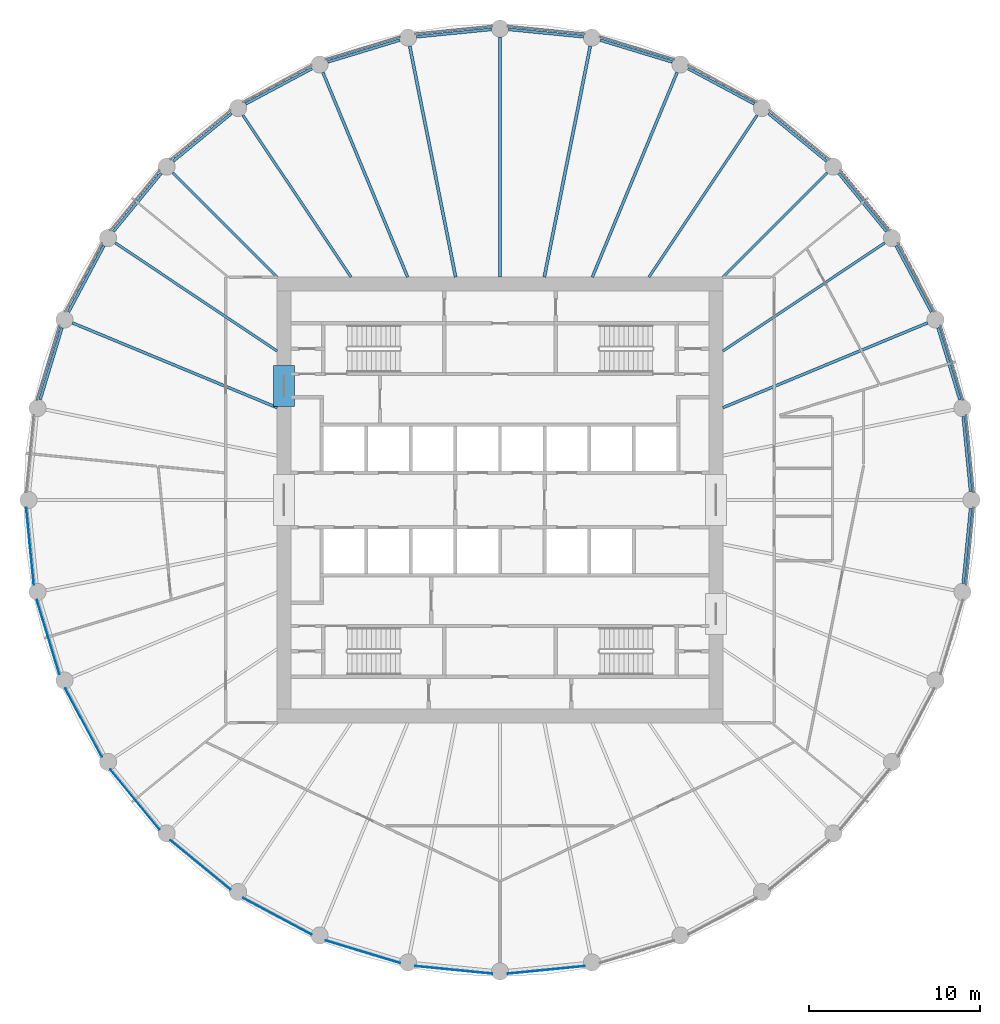
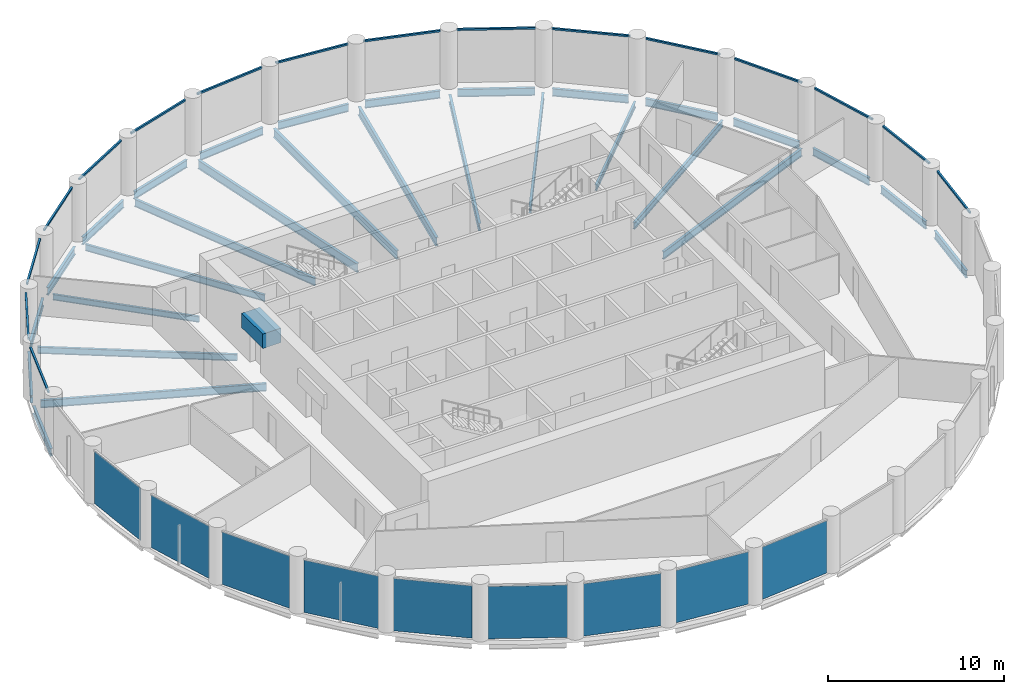
# One storey, part 2 of 8: 30 beams, 16 members, 9 plates, 25 elements without a shape of their own.
"""IFC4 building model written with IfcOpenShell, lengths in metres."""

import ifcopenshell
import ifcopenshell.guid

model = None  # the IFC model being written
_history = None  # IfcOwnerHistory: only IFC2X3 demands one
_inside = {}  # id of a spatial element -> (the spatial element, [elements in it])
_under = {}  # id of a project, library or spatial element -> (it, [spatial elements below it])
_declared = {}  # id of a project -> (the project, [libraries it declares])
_typed = {}  # id of a type object -> (the type object, [elements of that type])
_made_of = {}  # id of a material, layer set ... -> (it, [elements and type objects made of it])


def new_model(schema):
    """Start an empty IFC model of exactly this schema.

    Asked for "IFC4X3", IfcOpenShell would pick the latest addendum, in which some entities
    have other attributes; the version numbers below select the first issue.
    IFC2X3 requires an IfcOwnerHistory on every rooted entity: one is made here for all.
    """
    global model, _history
    if schema == "IFC4X3":
        model = ifcopenshell.file(schema_version=(4, 3, 0, 0))
    else:
        model = ifcopenshell.file(schema=schema)
    _inside.clear()
    _under.clear()
    _declared.clear()
    _typed.clear()
    _made_of.clear()
    _history = None
    if model.schema == "IFC2X3":
        org = make("IfcOrganization", Name="unknown")
        user = make(
            "IfcPersonAndOrganization",
            ThePerson=make("IfcPerson", FamilyName="unknown"),
            TheOrganization=org,
        )
        app = make(
            "IfcApplication",
            ApplicationDeveloper=org,
            Version="unknown",
            ApplicationFullName="unknown",
            ApplicationIdentifier="unknown",
        )
        _history = make(
            "IfcOwnerHistory",
            OwningUser=user,
            OwningApplication=app,
            ChangeAction="ADDED",
            CreationDate=0,
        )
    return model


def make(cls, **values):
    """One entity of the class cls with the attributes given. An attribute that is None is left unset."""
    return model.create_entity(
        cls, **{name: value for name, value in values.items() if value is not None}
    )


def rooted(cls, **values):
    """An entity with a GlobalId (a new one), such as an element, a storey or a relation."""
    return make(cls, GlobalId=ifcopenshell.guid.new(), OwnerHistory=_history, **values)


def si_unit(unit_type, name, prefix=None):
    """IfcSIUnit, for example si_unit("LENGTHUNIT", "METRE", prefix="MILLI")."""
    return make("IfcSIUnit", UnitType=unit_type, Prefix=prefix, Name=name)


def assignment(units):
    """IfcUnitAssignment: the units of a project."""
    return None if units is None else make("IfcUnitAssignment", Units=units)


def point(xyz):
    """IfcCartesianPoint."""
    return None if xyz is None else make("IfcCartesianPoint", Coordinates=xyz)


def direction(xyz):
    """IfcDirection."""
    return None if xyz is None else make("IfcDirection", DirectionRatios=xyz)


def frame(location, z_axis=None, x_axis=None):
    """IfcAxis2Placement3D, a coordinate frame: its origin and axes. An axis left out is left unset."""
    return make(
        "IfcAxis2Placement3D",
        Location=point(location),
        Axis=direction(z_axis),
        RefDirection=direction(x_axis),
    )


def frame_2d(location, x_axis=None):
    """IfcAxis2Placement2D, a coordinate frame in the plane: its origin and x axis."""
    return make(
        "IfcAxis2Placement2D", Location=point(location), RefDirection=direction(x_axis)
    )


def origin():
    """The frame at (0, 0, 0) with its axes left unset."""
    return frame((0.0, 0.0, 0.0))


def origin_2d():
    """The frame at (0, 0) in the plane with its x axis left unset."""
    return frame_2d((0.0, 0.0))


def place(relative_to, where):
    """IfcLocalPlacement: puts the frame where relative to a parent placement (None: the world)."""
    return make(
        "IfcLocalPlacement", PlacementRelTo=relative_to, RelativePlacement=where
    )


def context(
    kind, dimensions, precision=None, world=None, true_north=None, identifier=None
):
    """IfcGeometricRepresentationContext, for example the 3D "Model" context."""
    return make(
        "IfcGeometricRepresentationContext",
        ContextIdentifier=identifier,
        ContextType=kind,
        CoordinateSpaceDimension=dimensions,
        Precision=precision,
        WorldCoordinateSystem=world,
        TrueNorth=true_north,
    )


def subcontext(parent, identifier, kind, view, scale=None):
    """IfcGeometricRepresentationSubContext, for example "Body" below "Model"."""
    return make(
        "IfcGeometricRepresentationSubContext",
        ContextIdentifier=identifier,
        ContextType=kind,
        ParentContext=parent,
        TargetScale=scale,
        TargetView=view,
    )


def project(units=None, contexts=None):
    """IfcProject with its units and contexts."""
    return rooted(
        "IfcProject",
        Name="project",
        RepresentationContexts=contexts,
        UnitsInContext=assignment(units),
    )


def spatial(cls, under=None, at=None, **own):
    """A site, building, storey or space (cls), placed at a placement, below another one or the project."""
    s = rooted(cls, ObjectPlacement=at, **own)
    if under is not None:
        _under.setdefault(under.id(), (under, []))[1].append(s)
    return s


def profile(cls, at=None, kind="AREA", **sizes):
    """A parametric profile (cls). Its sizes go by their IFC names, for example OverallWidth=200.0."""
    return make(cls, ProfileType=kind, Position=at, **sizes)


def rectangle(**sizes):
    """IfcRectangleProfileDef."""
    return profile("IfcRectangleProfileDef", **sizes)


def i_section(**sizes):
    """IfcIShapeProfileDef."""
    return profile("IfcIShapeProfileDef", **sizes)


def extrude(swept, where, along, depth):
    """IfcExtrudedAreaSolid: the profile swept, set in the frame where, extruded along a direction by depth."""
    return make(
        "IfcExtrudedAreaSolid",
        SweptArea=swept,
        Position=where,
        ExtrudedDirection=direction(along),
        Depth=depth,
    )


def shape(context_of_items, identifier, shape_type, items):
    """IfcShapeRepresentation: the items that make up one representation, for example the "Body"."""
    return make(
        "IfcShapeRepresentation",
        ContextOfItems=context_of_items,
        RepresentationIdentifier=identifier,
        RepresentationType=shape_type,
        Items=items,
    )


def material(Name=None, Category=None):
    """IfcMaterial."""
    return make("IfcMaterial", Name=Name, Category=Category)


def layer(
    of_material, thickness, ventilated=None, Name=None, Category=None, Priority=None
):
    """IfcMaterialLayer: one layer of a wall or slab, of a material (None: an air gap)."""
    return make(
        "IfcMaterialLayer",
        Material=of_material,
        LayerThickness=thickness,
        IsVentilated=ventilated,
        Name=Name,
        Category=Category,
        Priority=Priority,
    )


def layer_set(layers, Name=None):
    """IfcMaterialLayerSet."""
    return make("IfcMaterialLayerSet", MaterialLayers=layers, LayerSetName=Name)


def material_profile(
    of_material, cross_section, Name=None, Category=None, Priority=None
):
    """IfcMaterialProfile: a cross section and its material."""
    return make(
        "IfcMaterialProfile",
        Name=Name,
        Material=of_material,
        Profile=cross_section,
        Priority=Priority,
        Category=Category,
    )


def profile_set(profiles, Name=None, composite=None):
    """IfcMaterialProfileSet."""
    return make(
        "IfcMaterialProfileSet",
        Name=Name,
        MaterialProfiles=profiles,
        CompositeProfile=composite,
    )


def made_of(thing, what):
    """Note that an element or type object is made of a material, layer set ...; save() writes the relation."""
    if what is not None:
        _made_of.setdefault(what.id(), (what, []))[1].append(thing)
    return thing


def type_object(cls, material=None, **own):
    """A type object (cls), such as IfcWallType, which elements share."""
    return made_of(rooted(cls, **own), material)


def element(
    cls,
    number,
    at=None,
    inside=None,
    cuts=None,
    type_object=None,
    material=None,
    context=None,
    identifier="Body",
    shape_type=None,
    held_by="IfcProductDefinitionShape",
    body=None,
    shapes=None,
    **own,
):
    """One element of the class cls, such as IfcWall. Its Tag is "e" and its number.

    at: its placement. inside: the storey or other place that contains it. cuts: it is an
    opening in that element (IfcRelVoidsElement). A single representation is given by context,
    identifier, shape_type and body (its items); several are given by shapes. held_by: the class
    of the entity that holds the representations. save() writes the other relations.
    """
    e = rooted(cls, Tag="e%d" % number, ObjectPlacement=at, **own)
    if body is not None:
        shapes = [shape(context, identifier, shape_type, body)]
    if shapes is not None:
        e.Representation = make(held_by, Representations=shapes)
    if inside is not None:
        _inside.setdefault(inside.id(), (inside, []))[1].append(e)
    if cuts is not None:
        rooted(
            "IfcRelVoidsElement", RelatingBuildingElement=cuts, RelatedOpeningElement=e
        )
    if type_object is not None:
        _typed.setdefault(type_object.id(), (type_object, []))[1].append(e)
    return made_of(e, material)


def aggregate(whole, parts):
    """IfcRelAggregates: a whole, such as a stair, and the parts it consists of."""
    return rooted("IfcRelAggregates", RelatingObject=whole, RelatedObjects=parts)


def save(model, path):
    """Write the relations noted so far, then the file.

    IfcRelAggregates (storeys below a building ...), IfcRelContainedInSpatialStructure (elements
    in a storey), IfcRelDefinesByType, IfcRelAssociatesMaterial and IfcRelDeclares: one each for
    every whole, place, type object, material and project.
    """
    for whole, parts in _under.values():
        aggregate(whole, parts)
    for where, things in _inside.values():
        rooted(
            "IfcRelContainedInSpatialStructure",
            RelatedElements=things,
            RelatingStructure=where,
        )
    for kind, things in _typed.values():
        rooted("IfcRelDefinesByType", RelatedObjects=things, RelatingType=kind)
    for what, things in _made_of.values():
        rooted("IfcRelAssociatesMaterial", RelatedObjects=things, RelatingMaterial=what)
    for by, libraries in _declared.values():
        rooted("IfcRelDeclares", RelatingContext=by, RelatedDefinitions=libraries)
    model.write(path)


model = new_model("IFC4")

# Units and contexts
model_context = context("Model", 3, precision=1e-05, world=origin(), true_north=direction((0.0, 1.0)))
body_context = subcontext(model_context, "Body", "Model", "MODEL_VIEW")
ifc_project = project(units=[si_unit("LENGTHUNIT", "METRE"), si_unit("AREAUNIT", "SQUARE_METRE"), si_unit("VOLUMEUNIT", "CUBIC_METRE"), si_unit("PLANEANGLEUNIT", "RADIAN"), si_unit("MASSUNIT", "GRAM", prefix="KILO")], contexts=[model_context])

# Site, building, storey
site_placement = place(None, origin())
site = spatial("IfcSite", under=ifc_project, at=site_placement, CompositionType="ELEMENT")
building_placement = place(site_placement, origin())
building = spatial("IfcBuilding", under=site, at=building_placement, Name="Corvane Civic Tower", CompositionType="ELEMENT")
storey_placement = place(building_placement, frame((0.0, 0.0, 213.5)))
storey = spatial("IfcBuildingStorey", under=building, at=storey_placement, Name="L50", CompositionType="ELEMENT", Elevation=213.5)

# Beams
ifc_material_1 = material(Name="Concrete C50/60", Category="concrete")
ifc_material_profile_1 = material_profile(ifc_material_1, rectangle(XDim=1.199951171875, YDim=1.0, at=origin_2d()), Name="COUPLING BEAM 1200X1000")
ifc_profile_set_1 = profile_set([ifc_material_profile_1], Name="Concrete C50/60")
beam_type_1 = type_object("IfcBeamType", Name="COUPLING BEAM COUPLING BEAM 1200X1000", PredefinedType="BEAM", material=ifc_profile_set_1)
beam_1_placement = place(storey_placement, frame((-12.60009765625, 5.449951171875, 2.60009765625), z_axis=(0.0, 1.0, 0.0), x_axis=(-1.0, 0.0, 0.0)))
element("IfcBeam", 1, at=beam_1_placement, inside=storey, type_object=beam_type_1, Name="BM-L50-cpl-CW-WN", PredefinedType="BEAM", context=body_context, shape_type="SweptSolid", body=[
    extrude(rectangle(XDim=1.199951171875, YDim=1.0, at=origin_2d()), origin(), (0.0, 0.0, 1.0), 2.400146484375),
])
ifc_material_2 = material(Name="Steel ASTM A992 Gr 50", Category="steel")
ifc_material_profile_2 = material_profile(ifc_material_2, i_section(OverallWidth=0.165771484375, OverallDepth=0.5283203125, WebThickness=0.009765625, FlangeThickness=0.013671875, at=origin_2d()), Name="W21X50")
ifc_profile_set_2 = profile_set([ifc_material_profile_2], Name="Steel ASTM A992 Gr 50")
beam_type_2 = type_object("IfcBeamType", Name="EDGE BEAM W21X50", PredefinedType="BEAM", material=ifc_profile_set_2)
beam_2_placement = place(storey_placement, frame((0.49755859375, 27.450927734375, -0.564208984375), z_axis=(0.995189593769, -0.097967711281, 0.0), x_axis=(0.097967711281, 0.995189593769, 0.0)))
element("IfcBeam", 2, at=beam_2_placement, inside=storey, type_object=beam_type_2, Name="BM-L50-E01", PredefinedType="BEAM", context=body_context, shape_type="SweptSolid", body=[
    extrude(i_section(OverallWidth=0.165771484375, OverallDepth=0.5283203125, WebThickness=0.009765625, FlangeThickness=0.013671875, at=origin_2d()), origin(), (0.0, 0.0, 1.0), 4.39111328125),
])
beam_3_placement = place(storey_placement, frame((5.843505859375, 26.826416015625, -0.564208984375), z_axis=(0.956949547653, -0.290254307888, 0.0), x_axis=(0.290254307888, 0.956949547653, 0.0)))
element("IfcBeam", 3, at=beam_3_placement, inside=storey, type_object=beam_type_2, Name="BM-L50-E02", PredefinedType="BEAM", context=body_context, shape_type="SweptSolid", body=[
    extrude(i_section(OverallWidth=0.165771484375, OverallDepth=0.5283203125, WebThickness=0.009765625, FlangeThickness=0.013671875, at=origin_2d()), origin(), (0.0, 0.0, 1.0), 4.390625),
])
for number, where, z_axis, x_axis, name in (
    (4, (10.964599609375, 25.171142578125, -0.564208984375), (0.881907756852, -0.471422006704, 0.0), (0.471422006704, 0.881907756852, 0.0), "BM-L50-E03"),
    (5, (15.66455078125, 22.54833984375, -0.564208984375), (0.773030026524, -0.634369433447, 0.0), (0.634369433447, 0.773030026524, 0.0), "BM-L50-E04"),
    (6, (19.7626953125, 19.05908203125, -0.564208984375), (0.634369433447, -0.773030026524, 0.0), (0.773030026524, 0.634369433447, 0.0), "BM-L50-E05"),
    (7, (23.10107421875, 14.837158203125, -0.564208984375), (0.471422006704, -0.881907756852, 0.0), (0.881907756852, 0.471422006704, 0.0), "BM-L50-E06"),
):
    element("IfcBeam", number, at=place(storey_placement, frame(where, z_axis=z_axis, x_axis=x_axis)), inside=storey, type_object=beam_type_2, Name=name, PredefinedType="BEAM", context=body_context, shape_type="SweptSolid", body=[
        extrude(i_section(OverallWidth=0.165771484375, OverallDepth=0.5283203125, WebThickness=0.009765625, FlangeThickness=0.013671875, at=origin_2d()), origin(), (0.0, 0.0, 1.0), 4.39111328125),
    ])
beam_4_placement = place(storey_placement, frame((25.552001953125, 10.045166015625, -0.564208984375), z_axis=(0.290254307888, -0.956949547653, 0.0), x_axis=(0.956949547653, 0.290254307888, 0.0)))
element("IfcBeam", 8, at=beam_4_placement, inside=storey, type_object=beam_type_2, Name="BM-L50-E07", PredefinedType="BEAM", context=body_context, shape_type="SweptSolid", body=[
    extrude(i_section(OverallWidth=0.165771484375, OverallDepth=0.5283203125, WebThickness=0.009765625, FlangeThickness=0.013671875, at=origin_2d()), origin(), (0.0, 0.0, 1.0), 4.390625),
])
for number, where, z_axis, x_axis, name in (
    (9, (27.020751953125, 4.867431640625, -0.564208984375), (0.097967711281, -0.995189593769, 0.0), (0.995189593769, 0.097967711281, 0.0), "BM-L50-E08"),
    (10, (27.450927734375, -0.49755859375, -0.564208984375), (-0.097967711281, -0.995189593769, 0.0), (0.995189593769, -0.097967711281, 0.0), "BM-L50-E09"),
):
    element("IfcBeam", number, at=place(storey_placement, frame(where, z_axis=z_axis, x_axis=x_axis)), inside=storey, type_object=beam_type_2, Name=name, PredefinedType="BEAM", context=body_context, shape_type="SweptSolid", body=[
        extrude(i_section(OverallWidth=0.165771484375, OverallDepth=0.5283203125, WebThickness=0.009765625, FlangeThickness=0.013671875, at=origin_2d()), origin(), (0.0, 0.0, 1.0), 4.39111328125),
    ])
beam_5_placement = place(storey_placement, frame((-26.826416015625, 5.843505859375, -0.564208984375), z_axis=(0.290254307888, 0.956949547653, 0.0), x_axis=(-0.956949547653, 0.290254307888, 0.0)))
element("IfcBeam", 11, at=beam_5_placement, inside=storey, type_object=beam_type_2, Name="BM-L50-E26", PredefinedType="BEAM", context=body_context, shape_type="SweptSolid", body=[
    extrude(i_section(OverallWidth=0.165771484375, OverallDepth=0.5283203125, WebThickness=0.009765625, FlangeThickness=0.013671875, at=origin_2d()), origin(), (0.0, 0.0, 1.0), 4.390625),
])
for number, where, z_axis, x_axis, name in (
    (12, (-25.171142578125, 10.964599609375, -0.564208984375), (0.471422006704, 0.881907756852, 0.0), (-0.881907756852, 0.471422006704, 0.0), "BM-L50-E27"),
    (13, (-22.54833984375, 15.66455078125, -0.564208984375), (0.634369433447, 0.773030026524, 0.0), (-0.773030026524, 0.634369433447, 0.0), "BM-L50-E28"),
    (14, (-19.05908203125, 19.7626953125, -0.564208984375), (0.773030026524, 0.634369433447, 0.0), (-0.634369433447, 0.773030026524, 0.0), "BM-L50-E29"),
    (15, (-14.837158203125, 23.10107421875, -0.564208984375), (0.881907756852, 0.471422006704, 0.0), (-0.471422006704, 0.881907756852, 0.0), "BM-L50-E30"),
):
    element("IfcBeam", number, at=place(storey_placement, frame(where, z_axis=z_axis, x_axis=x_axis)), inside=storey, type_object=beam_type_2, Name=name, PredefinedType="BEAM", context=body_context, shape_type="SweptSolid", body=[
        extrude(i_section(OverallWidth=0.165771484375, OverallDepth=0.5283203125, WebThickness=0.009765625, FlangeThickness=0.013671875, at=origin_2d()), origin(), (0.0, 0.0, 1.0), 4.39111328125),
    ])
beam_6_placement = place(storey_placement, frame((-10.045166015625, 25.552001953125, -0.564208984375), z_axis=(0.956949547653, 0.290254307888, 0.0), x_axis=(-0.290254307888, 0.956949547653, 0.0)))
element("IfcBeam", 16, at=beam_6_placement, inside=storey, type_object=beam_type_2, Name="BM-L50-E31", PredefinedType="BEAM", context=body_context, shape_type="SweptSolid", body=[
    extrude(i_section(OverallWidth=0.165771484375, OverallDepth=0.5283203125, WebThickness=0.009765625, FlangeThickness=0.013671875, at=origin_2d()), origin(), (0.0, 0.0, 1.0), 4.390625),
])
beam_7_placement = place(storey_placement, frame((-4.867431640625, 27.020751953125, -0.564208984375), z_axis=(0.995189593769, 0.097967711281, 0.0), x_axis=(-0.097967711281, 0.995189593769, 0.0)))
element("IfcBeam", 17, at=beam_7_placement, inside=storey, type_object=beam_type_2, Name="BM-L50-E32", PredefinedType="BEAM", context=body_context, shape_type="SweptSolid", body=[
    extrude(i_section(OverallWidth=0.165771484375, OverallDepth=0.5283203125, WebThickness=0.009765625, FlangeThickness=0.013671875, at=origin_2d()), origin(), (0.0, 0.0, 1.0), 4.39111328125),
])
ifc_material_3 = material(Name="Steel ASTM A992 Gr 50", Category="steel")
ifc_material_profile_3 = material_profile(ifc_material_3, i_section(OverallWidth=0.140380859375, OverallDepth=0.40380859375, WebThickness=0.007080078125, FlangeThickness=0.01123046875, at=origin_2d()), Name="W16X31")
ifc_profile_set_3 = profile_set([ifc_material_profile_3], Name="Steel ASTM A992 Gr 50")
beam_type_3 = type_object("IfcBeamType", Name="FLOOR GIRDER W16X31", PredefinedType="BEAM", material=ifc_profile_set_3)
for number, where, z_axis, x_axis, name in (
    (18, (13.0, 13.0, -0.501953125), (0.707106781187, 0.707106781187, 0.0), (-0.707106781187, 0.707106781187, 0.0), "BM-L50-G05"),
    (19, (-13.0, 13.0, -0.501953125), (-0.707106781187, 0.707106781187, 0.0), (-0.707106781187, -0.707106781187, 0.0), "BM-L50-G29"),
):
    element("IfcBeam", number, at=place(storey_placement, frame(where, z_axis=z_axis, x_axis=x_axis)), inside=storey, type_object=beam_type_3, Name=name, PredefinedType="BEAM", context=body_context, shape_type="SweptSolid", body=[
        extrude(i_section(OverallWidth=0.140380859375, OverallDepth=0.40380859375, WebThickness=0.007080078125, FlangeThickness=0.01123046875, at=origin_2d()), origin(), (0.0, 0.0, 1.0), 8.614990234375),
    ])
ifc_material_4 = material(Name="Steel ASTM A992 Gr 50", Category="steel")
ifc_material_profile_4 = material_profile(ifc_material_4, i_section(OverallWidth=0.15283203125, OverallDepth=0.45458984375, WebThickness=0.008056640625, FlangeThickness=0.013427734375, at=origin_2d()), Name="W18X40")
ifc_profile_set_4 = profile_set([ifc_material_profile_4], Name="Steel ASTM A992 Gr 50")
beam_type_4 = type_object("IfcBeamType", Name="FLOOR GIRDER W18X40", PredefinedType="BEAM", material=ifc_profile_set_4)
for number, where, z_axis, x_axis, name in (
    (20, (8.686279296875, 13.0, -0.52734375), (0.555577326485, 0.831464872557, 0.0), (-0.831464872557, 0.555577326485, 0.0), "BM-L50-G04"),
    (21, (13.0, 8.686279296875, -0.52734375), (0.831464872557, 0.555577326485, 0.0), (-0.555577326485, 0.831464872557, 0.0), "BM-L50-G06"),
    (22, (-13.0, 8.686279296875, -0.52734375), (-0.831464872557, 0.555577326485, 0.0), (-0.555577326485, -0.831464872557, 0.0), "BM-L50-G28"),
    (23, (-8.686279296875, 13.0, -0.52734375), (-0.555577326485, 0.831464872557, 0.0), (-0.831464872557, -0.555577326485, 0.0), "BM-L50-G30"),
):
    element("IfcBeam", number, at=place(storey_placement, frame(where, z_axis=z_axis, x_axis=x_axis)), inside=storey, type_object=beam_type_4, Name=name, PredefinedType="BEAM", context=body_context, shape_type="SweptSolid", body=[
        extrude(i_section(OverallWidth=0.15283203125, OverallDepth=0.45458984375, WebThickness=0.008056640625, FlangeThickness=0.013427734375, at=origin_2d()), origin(), (0.0, 0.0, 1.0), 11.365234375),
    ])
ifc_material_5 = material(Name="Steel ASTM A992 Gr 50", Category="steel")
ifc_material_profile_5 = material_profile(ifc_material_5, i_section(OverallWidth=0.165771484375, OverallDepth=0.5283203125, WebThickness=0.009765625, FlangeThickness=0.013671875, at=origin_2d()), Name="W21X50")
ifc_profile_set_5 = profile_set([ifc_material_profile_5], Name="Steel ASTM A992 Gr 50")
beam_type_5 = type_object("IfcBeamType", Name="FLOOR GIRDER W21X50", PredefinedType="BEAM", material=ifc_profile_set_5)
for number, where, z_axis, x_axis, name in (
    (24, (5.384765625, 13.0, -0.564208984375), (0.382686450378, 0.923878282404, 0.0), (-0.923878282404, 0.382686450378, 0.0), "BM-L50-G03"),
    (25, (13.0, 5.384765625, -0.564208984375), (0.923878282404, 0.382686450378, 0.0), (-0.382686450378, 0.923878282404, 0.0), "BM-L50-G07"),
    (26, (-13.0, 5.384765625, -0.564208984375), (-0.923878282404, 0.382686450378, 0.0), (-0.382686450378, -0.923878282404, 0.0), "BM-L50-G27"),
    (27, (-5.384765625, 13.0, -0.564208984375), (-0.382686450378, 0.923878282404, 0.0), (-0.923878282404, -0.382686450378, 0.0), "BM-L50-G31"),
):
    element("IfcBeam", number, at=place(storey_placement, frame(where, z_axis=z_axis, x_axis=x_axis)), inside=storey, type_object=beam_type_5, Name=name, PredefinedType="BEAM", context=body_context, shape_type="SweptSolid", body=[
        extrude(i_section(OverallWidth=0.165771484375, OverallDepth=0.5283203125, WebThickness=0.009765625, FlangeThickness=0.013671875, at=origin_2d()), origin(), (0.0, 0.0, 1.0), 12.928955078125),
    ])
ifc_material_6 = material(Name="Steel ASTM A992 Gr 50", Category="steel")
ifc_material_profile_6 = material_profile(ifc_material_6, i_section(OverallWidth=0.177978515625, OverallDepth=0.599365234375, WebThickness=0.010009765625, FlangeThickness=0.012939453125, at=origin_2d()), Name="W24X55")
ifc_profile_set_6 = profile_set([ifc_material_profile_6], Name="Steel ASTM A992 Gr 50")
beam_type_6 = type_object("IfcBeamType", Name="FLOOR GIRDER W24X55", PredefinedType="BEAM", material=ifc_profile_set_6)
beam_8_placement = place(storey_placement, frame((0.0, 13.0, -0.599609375), z_axis=(0.0, 1.0, 0.0), x_axis=(-1.0, 0.0, 0.0)))
element("IfcBeam", 28, at=beam_8_placement, inside=storey, type_object=beam_type_6, Name="BM-L50-G01", PredefinedType="BEAM", context=body_context, shape_type="SweptSolid", body=[
    extrude(i_section(OverallWidth=0.177978515625, OverallDepth=0.599365234375, WebThickness=0.010009765625, FlangeThickness=0.012939453125, at=origin_2d()), origin(), (0.0, 0.0, 1.0), 14.0),
])
for number, where, z_axis, x_axis, name in (
    (29, (2.5859375, 13.0, -0.599609375), (0.195077644118, 0.980787802109, 0.0), (-0.980787802109, 0.195077644118, 0.0), "BM-L50-G02"),
    (30, (-2.5859375, 13.0, -0.599609375), (-0.195077644118, 0.980787802109, 0.0), (-0.980787802109, -0.195077644118, 0.0), "BM-L50-G32"),
):
    element("IfcBeam", number, at=place(storey_placement, frame(where, z_axis=z_axis, x_axis=x_axis)), inside=storey, type_object=beam_type_6, Name=name, PredefinedType="BEAM", context=body_context, shape_type="SweptSolid", body=[
        extrude(i_section(OverallWidth=0.177978515625, OverallDepth=0.599365234375, WebThickness=0.010009765625, FlangeThickness=0.012939453125, at=origin_2d()), origin(), (0.0, 0.0, 1.0), 13.745361328125),
    ])

# Curtain wall, member
ifc_material_7 = material(Name="Anodised aluminium bronze", Category="aluminium")
curtain_wall_type = type_object("IfcCurtainWallType", Name="TOWER CW-T2 STICK CURTAIN WALL", PredefinedType="NOTDEFINED", material=ifc_material_7)
curtain_wall_1_placement = place(storey_placement, origin())
curtain_wall_1 = element("IfcCurtainWall", 31, at=curtain_wall_1_placement, inside=storey, type_object=curtain_wall_type, Name="Curtain wall CW-T2 L50 bay 01", PredefinedType="NOTDEFINED")
ifc_material_8 = material(Name="Anodised aluminium bronze", Category="aluminium")
ifc_material_profile_7 = material_profile(ifc_material_8, rectangle(XDim=0.1201171875, YDim=0.1201171875, at=origin_2d()), Name="TOWER CW-T2 TRANSOM 120x120")
ifc_profile_set_7 = profile_set([ifc_material_profile_7], Name="Anodised aluminium bronze")
member_type = type_object("IfcMemberType", Name="TOWER CW-T2 TRANSOM 120x120", PredefinedType="USERDEFINED", material=ifc_profile_set_7)
member_1_placement = place(storey_placement, frame((0.452392578125, 27.635498046875, 3.68994140625), z_axis=(0.995182207386, -0.098042715701, 0.0), x_axis=(0.098042715701, 0.995182207386, 0.0)))
member_1 = element("IfcMember", 32, at=member_1_placement, type_object=member_type, Name="Transom CW-T2 L50 01.1", ObjectType="TRANSOM", PredefinedType="USERDEFINED", context=body_context, shape_type="SweptSolid", body=[
    extrude(rectangle(XDim=0.1201171875, YDim=0.1201171875, at=origin_2d()), origin(), (0.0, 0.0, 1.0), 4.51708984375),
])
aggregate(curtain_wall_1, [member_1])

curtain_wall_2_placement = place(storey_placement, origin())
curtain_wall_2 = element("IfcCurtainWall", 33, at=curtain_wall_2_placement, inside=storey, type_object=curtain_wall_type, Name="Curtain wall CW-T2 L50 bay 02", PredefinedType="NOTDEFINED")
member_2_placement = place(storey_placement, frame((5.8349609375, 27.016357421875, 3.68994140625), z_axis=(0.956941182173, -0.2902818869, 0.0), x_axis=(0.2902818869, 0.956941182173, 0.0)))
member_2 = element("IfcMember", 34, at=member_2_placement, type_object=member_type, Name="Transom CW-T2 L50 02.1", ObjectType="TRANSOM", PredefinedType="USERDEFINED", context=body_context, shape_type="SweptSolid", body=[
    extrude(rectangle(XDim=0.1201171875, YDim=0.1201171875, at=origin_2d()), origin(), (0.0, 0.0, 1.0), 4.517333984375),
])
aggregate(curtain_wall_2, [member_2])

curtain_wall_3_placement = place(storey_placement, origin())
curtain_wall_3 = element("IfcCurtainWall", 35, at=curtain_wall_3_placement, inside=storey, type_object=curtain_wall_type, Name="Curtain wall CW-T2 L50 bay 03", PredefinedType="NOTDEFINED")
member_3_placement = place(storey_placement, frame((10.993408203125, 25.35888671875, 3.68994140625), z_axis=(0.881924695689, -0.471390317183, 0.0), x_axis=(0.471390317183, 0.881924695689, 0.0)))
member_3 = element("IfcMember", 36, at=member_3_placement, type_object=member_type, Name="Transom CW-T2 L50 03.1", ObjectType="TRANSOM", PredefinedType="USERDEFINED", context=body_context, shape_type="SweptSolid", body=[
    extrude(rectangle(XDim=0.1201171875, YDim=0.1201171875, at=origin_2d()), origin(), (0.0, 0.0, 1.0), 4.517333984375),
])
aggregate(curtain_wall_3, [member_3])

curtain_wall_4_placement = place(storey_placement, origin())
curtain_wall_4 = element("IfcCurtainWall", 37, at=curtain_wall_4_placement, inside=storey, type_object=curtain_wall_type, Name="Curtain wall CW-T2 L50 bay 04", PredefinedType="NOTDEFINED")
member_4_placement = place(storey_placement, frame((15.7294921875, 22.726806640625, 3.68994140625), z_axis=(0.773014925698, -0.634387834569, 0.0), x_axis=(0.634387834569, 0.773014925698, 0.0)))
member_4 = element("IfcMember", 38, at=member_4_placement, type_object=member_type, Name="Transom CW-T2 L50 04.1", ObjectType="TRANSOM", PredefinedType="USERDEFINED", context=body_context, shape_type="SweptSolid", body=[
    extrude(rectangle(XDim=0.1201171875, YDim=0.1201171875, at=origin_2d()), origin(), (0.0, 0.0, 1.0), 4.517333984375),
])
aggregate(curtain_wall_4, [member_4])

curtain_wall_5_placement = place(storey_placement, origin())
curtain_wall_5 = element("IfcCurtainWall", 39, at=curtain_wall_5_placement, inside=storey, type_object=curtain_wall_type, Name="Curtain wall CW-T2 L50 bay 05", PredefinedType="NOTDEFINED")
member_5_placement = place(storey_placement, frame((19.861083984375, 19.221435546875, 3.68994140625), z_axis=(0.634387834569, -0.773014925698, 0.0), x_axis=(0.773014925698, 0.634387834569, 0.0)))
member_5 = element("IfcMember", 40, at=member_5_placement, type_object=member_type, Name="Transom CW-T2 L50 05.1", ObjectType="TRANSOM", PredefinedType="USERDEFINED", context=body_context, shape_type="SweptSolid", body=[
    extrude(rectangle(XDim=0.1201171875, YDim=0.1201171875, at=origin_2d()), origin(), (0.0, 0.0, 1.0), 4.517333984375),
])
aggregate(curtain_wall_5, [member_5])

curtain_wall_6_placement = place(storey_placement, origin())
curtain_wall_6 = element("IfcCurtainWall", 41, at=curtain_wall_6_placement, inside=storey, type_object=curtain_wall_type, Name="Curtain wall CW-T2 L50 bay 06", PredefinedType="NOTDEFINED")
member_6_placement = place(storey_placement, frame((23.2294921875, 14.977294921875, 3.68994140625), z_axis=(0.471390317183, -0.881924695689, 0.0), x_axis=(0.881924695689, 0.471390317183, 0.0)))
member_6 = element("IfcMember", 42, at=member_6_placement, type_object=member_type, Name="Transom CW-T2 L50 06.1", ObjectType="TRANSOM", PredefinedType="USERDEFINED", context=body_context, shape_type="SweptSolid", body=[
    extrude(rectangle(XDim=0.1201171875, YDim=0.1201171875, at=origin_2d()), origin(), (0.0, 0.0, 1.0), 4.517333984375),
])
aggregate(curtain_wall_6, [member_6])

curtain_wall_7_placement = place(storey_placement, origin())
curtain_wall_7 = element("IfcCurtainWall", 43, at=curtain_wall_7_placement, inside=storey, type_object=curtain_wall_type, Name="Curtain wall CW-T2 L50 bay 07", PredefinedType="NOTDEFINED")
member_7_placement = place(storey_placement, frame((25.705078125, 10.15771484375, 3.68994140625), z_axis=(0.2902818869, -0.956941182173, 0.0), x_axis=(0.956941182173, 0.2902818869, 0.0)))
member_7 = element("IfcMember", 44, at=member_7_placement, type_object=member_type, Name="Transom CW-T2 L50 07.1", ObjectType="TRANSOM", PredefinedType="USERDEFINED", context=body_context, shape_type="SweptSolid", body=[
    extrude(rectangle(XDim=0.1201171875, YDim=0.1201171875, at=origin_2d()), origin(), (0.0, 0.0, 1.0), 4.517333984375),
])
aggregate(curtain_wall_7, [member_7])

curtain_wall_8_placement = place(storey_placement, origin())
curtain_wall_8 = element("IfcCurtainWall", 45, at=curtain_wall_8_placement, inside=storey, type_object=curtain_wall_type, Name="Curtain wall CW-T2 L50 bay 08", PredefinedType="NOTDEFINED")
member_8_placement = place(storey_placement, frame((27.192626953125, 4.94775390625, 3.68994140625), z_axis=(0.098042715701, -0.995182207386, 0.0), x_axis=(0.995182207386, 0.098042715701, 0.0)))
member_8 = element("IfcMember", 46, at=member_8_placement, type_object=member_type, Name="Transom CW-T2 L50 08.1", ObjectType="TRANSOM", PredefinedType="USERDEFINED", context=body_context, shape_type="SweptSolid", body=[
    extrude(rectangle(XDim=0.1201171875, YDim=0.1201171875, at=origin_2d()), origin(), (0.0, 0.0, 1.0), 4.51708984375),
])
aggregate(curtain_wall_8, [member_8])

curtain_wall_9_placement = place(storey_placement, origin())
curtain_wall_9 = element("IfcCurtainWall", 47, at=curtain_wall_9_placement, inside=storey, type_object=curtain_wall_type, Name="Curtain wall CW-T2 L50 bay 09", PredefinedType="NOTDEFINED")
member_9_placement = place(storey_placement, frame((27.635498046875, -0.452392578125, 3.68994140625), z_axis=(-0.098042715701, -0.995182207386, 0.0), x_axis=(0.995182207386, -0.098042715701, 0.0)))
member_9 = element("IfcMember", 48, at=member_9_placement, type_object=member_type, Name="Transom CW-T2 L50 09.1", ObjectType="TRANSOM", PredefinedType="USERDEFINED", context=body_context, shape_type="SweptSolid", body=[
    extrude(rectangle(XDim=0.1201171875, YDim=0.1201171875, at=origin_2d()), origin(), (0.0, 0.0, 1.0), 4.51708984375),
])
aggregate(curtain_wall_9, [member_9])

curtain_wall_10_placement = place(storey_placement, origin())
curtain_wall_10 = element("IfcCurtainWall", 49, at=curtain_wall_10_placement, inside=storey, type_object=curtain_wall_type, Name="Curtain wall CW-T2 L50 bay 26", PredefinedType="NOTDEFINED")
member_10_placement = place(storey_placement, frame((-27.016357421875, 5.8349609375, 3.68994140625), z_axis=(0.2902818869, 0.956941182173, 0.0), x_axis=(-0.956941182173, 0.2902818869, 0.0)))
member_10 = element("IfcMember", 50, at=member_10_placement, type_object=member_type, Name="Transom CW-T2 L50 26.1", ObjectType="TRANSOM", PredefinedType="USERDEFINED", context=body_context, shape_type="SweptSolid", body=[
    extrude(rectangle(XDim=0.1201171875, YDim=0.1201171875, at=origin_2d()), origin(), (0.0, 0.0, 1.0), 4.517333984375),
])
aggregate(curtain_wall_10, [member_10])

curtain_wall_11_placement = place(storey_placement, origin())
curtain_wall_11 = element("IfcCurtainWall", 51, at=curtain_wall_11_placement, inside=storey, type_object=curtain_wall_type, Name="Curtain wall CW-T2 L50 bay 27", PredefinedType="NOTDEFINED")
member_11_placement = place(storey_placement, frame((-25.35888671875, 10.993408203125, 3.68994140625), z_axis=(0.471390317183, 0.881924695689, 0.0), x_axis=(-0.881924695689, 0.471390317183, 0.0)))
member_11 = element("IfcMember", 52, at=member_11_placement, type_object=member_type, Name="Transom CW-T2 L50 27.1", ObjectType="TRANSOM", PredefinedType="USERDEFINED", context=body_context, shape_type="SweptSolid", body=[
    extrude(rectangle(XDim=0.1201171875, YDim=0.1201171875, at=origin_2d()), origin(), (0.0, 0.0, 1.0), 4.517333984375),
])
aggregate(curtain_wall_11, [member_11])

curtain_wall_12_placement = place(storey_placement, origin())
curtain_wall_12 = element("IfcCurtainWall", 53, at=curtain_wall_12_placement, inside=storey, type_object=curtain_wall_type, Name="Curtain wall CW-T2 L50 bay 28", PredefinedType="NOTDEFINED")
member_12_placement = place(storey_placement, frame((-22.726806640625, 15.7294921875, 3.68994140625), z_axis=(0.634387834569, 0.773014925698, 0.0), x_axis=(-0.773014925698, 0.634387834569, 0.0)))
member_12 = element("IfcMember", 54, at=member_12_placement, type_object=member_type, Name="Transom CW-T2 L50 28.1", ObjectType="TRANSOM", PredefinedType="USERDEFINED", context=body_context, shape_type="SweptSolid", body=[
    extrude(rectangle(XDim=0.1201171875, YDim=0.1201171875, at=origin_2d()), origin(), (0.0, 0.0, 1.0), 4.517333984375),
])
aggregate(curtain_wall_12, [member_12])

curtain_wall_13_placement = place(storey_placement, origin())
curtain_wall_13 = element("IfcCurtainWall", 55, at=curtain_wall_13_placement, inside=storey, type_object=curtain_wall_type, Name="Curtain wall CW-T2 L50 bay 29", PredefinedType="NOTDEFINED")
member_13_placement = place(storey_placement, frame((-19.221435546875, 19.861083984375, 3.68994140625), z_axis=(0.773014925698, 0.634387834569, 0.0), x_axis=(-0.634387834569, 0.773014925698, 0.0)))
member_13 = element("IfcMember", 56, at=member_13_placement, type_object=member_type, Name="Transom CW-T2 L50 29.1", ObjectType="TRANSOM", PredefinedType="USERDEFINED", context=body_context, shape_type="SweptSolid", body=[
    extrude(rectangle(XDim=0.1201171875, YDim=0.1201171875, at=origin_2d()), origin(), (0.0, 0.0, 1.0), 4.517333984375),
])
aggregate(curtain_wall_13, [member_13])

curtain_wall_14_placement = place(storey_placement, origin())
curtain_wall_14 = element("IfcCurtainWall", 57, at=curtain_wall_14_placement, inside=storey, type_object=curtain_wall_type, Name="Curtain wall CW-T2 L50 bay 30", PredefinedType="NOTDEFINED")
member_14_placement = place(storey_placement, frame((-14.977294921875, 23.2294921875, 3.68994140625), z_axis=(0.881924695689, 0.471390317183, 0.0), x_axis=(-0.471390317183, 0.881924695689, 0.0)))
member_14 = element("IfcMember", 58, at=member_14_placement, type_object=member_type, Name="Transom CW-T2 L50 30.1", ObjectType="TRANSOM", PredefinedType="USERDEFINED", context=body_context, shape_type="SweptSolid", body=[
    extrude(rectangle(XDim=0.1201171875, YDim=0.1201171875, at=origin_2d()), origin(), (0.0, 0.0, 1.0), 4.517333984375),
])
aggregate(curtain_wall_14, [member_14])

curtain_wall_15_placement = place(storey_placement, origin())
curtain_wall_15 = element("IfcCurtainWall", 59, at=curtain_wall_15_placement, inside=storey, type_object=curtain_wall_type, Name="Curtain wall CW-T2 L50 bay 31", PredefinedType="NOTDEFINED")
member_15_placement = place(storey_placement, frame((-10.15771484375, 25.705078125, 3.68994140625), z_axis=(0.956941182173, 0.2902818869, 0.0), x_axis=(-0.2902818869, 0.956941182173, 0.0)))
member_15 = element("IfcMember", 60, at=member_15_placement, type_object=member_type, Name="Transom CW-T2 L50 31.1", ObjectType="TRANSOM", PredefinedType="USERDEFINED", context=body_context, shape_type="SweptSolid", body=[
    extrude(rectangle(XDim=0.1201171875, YDim=0.1201171875, at=origin_2d()), origin(), (0.0, 0.0, 1.0), 4.517333984375),
])
aggregate(curtain_wall_15, [member_15])

curtain_wall_16_placement = place(storey_placement, origin())
curtain_wall_16 = element("IfcCurtainWall", 61, at=curtain_wall_16_placement, inside=storey, type_object=curtain_wall_type, Name="Curtain wall CW-T2 L50 bay 32", PredefinedType="NOTDEFINED")
member_16_placement = place(storey_placement, frame((-4.94775390625, 27.192626953125, 3.68994140625), z_axis=(0.995182207386, 0.098042715701, 0.0), x_axis=(-0.098042715701, 0.995182207386, 0.0)))
member_16 = element("IfcMember", 62, at=member_16_placement, type_object=member_type, Name="Transom CW-T2 L50 32.1", ObjectType="TRANSOM", PredefinedType="USERDEFINED", context=body_context, shape_type="SweptSolid", body=[
    extrude(rectangle(XDim=0.1201171875, YDim=0.1201171875, at=origin_2d()), origin(), (0.0, 0.0, 1.0), 4.51708984375),
])
aggregate(curtain_wall_16, [member_16])

# Curtain wall, plate
curtain_wall_17_placement = place(storey_placement, origin())
curtain_wall_17 = element("IfcCurtainWall", 63, at=curtain_wall_17_placement, inside=storey, type_object=curtain_wall_type, Name="Curtain wall CW-T2 L50 bay 16", PredefinedType="NOTDEFINED")
ifc_material_9 = material(Name="Tinted glass", Category="glass")
ifc_layer = layer(ifc_material_9, 0.031982421875)
ifc_layer_set = layer_set([ifc_layer], Name="Tinted glass")
plate_type = type_object("IfcPlateType", Name="TOWER CW-T2 PANEL IGU32", PredefinedType="CURTAIN_PANEL", material=ifc_layer_set)
plate_1_placement = place(storey_placement, frame((2.699951171875, -27.4140625, 0.0), z_axis=(0.0, 0.0, 1.0), x_axis=(-0.995187058378, -0.097993463235, 0.0)))
plate_1 = element("IfcPlate", 64, at=plate_1_placement, type_object=plate_type, Name="Glass panel CW-T2 L50 16.1", PredefinedType="CURTAIN_PANEL", context=body_context, shape_type="SweptSolid", body=[
    extrude(rectangle(XDim=4.517333984375, YDim=0.031982421875, at=origin_2d()), origin(), (0.0, 0.0, 1.0), 3.6298828125),
])
aggregate(curtain_wall_17, [plate_1])

curtain_wall_18_placement = place(storey_placement, origin())
curtain_wall_18 = element("IfcCurtainWall", 65, at=curtain_wall_18_placement, inside=storey, type_object=curtain_wall_type, Name="Curtain wall CW-T2 L50 bay 17", PredefinedType="NOTDEFINED")
plate_2_placement = place(storey_placement, frame((-2.699951171875, -27.4140625, 0.0), z_axis=(0.0, 0.0, 1.0), x_axis=(-0.995187058378, 0.097993463235, 0.0)))
plate_2 = element("IfcPlate", 66, at=plate_2_placement, type_object=plate_type, Name="Glass panel CW-T2 L50 17.1", PredefinedType="CURTAIN_PANEL", context=body_context, shape_type="SweptSolid", body=[
    extrude(rectangle(XDim=4.517333984375, YDim=0.031982421875, at=origin_2d()), origin(), (0.0, 0.0, 1.0), 3.6298828125),
])
aggregate(curtain_wall_18, [plate_2])

curtain_wall_19_placement = place(storey_placement, origin())
curtain_wall_19 = element("IfcCurtainWall", 67, at=curtain_wall_19_placement, inside=storey, type_object=curtain_wall_type, Name="Curtain wall CW-T2 L50 bay 18", PredefinedType="NOTDEFINED")
plate_3_placement = place(storey_placement, frame((-7.996337890625, -26.360595703125, 0.0), z_axis=(0.0, 0.0, 1.0), x_axis=(-0.956938843612, 0.290289596069, 0.0)))
plate_3 = element("IfcPlate", 68, at=plate_3_placement, type_object=plate_type, Name="Glass panel CW-T2 L50 18.1", PredefinedType="CURTAIN_PANEL", context=body_context, shape_type="SweptSolid", body=[
    extrude(rectangle(XDim=4.517333984375, YDim=0.031982421875, at=origin_2d()), origin(), (0.0, 0.0, 1.0), 3.6298828125),
])
aggregate(curtain_wall_19, [plate_3])

curtain_wall_20_placement = place(storey_placement, origin())
curtain_wall_20 = element("IfcCurtainWall", 69, at=curtain_wall_20_placement, inside=storey, type_object=curtain_wall_type, Name="Curtain wall CW-T2 L50 bay 19", PredefinedType="NOTDEFINED")
plate_4_placement = place(storey_placement, frame((-12.9853515625, -24.294189453125, 0.0), z_axis=(0.0, 0.0, 1.0), x_axis=(-0.881920381001, 0.471398389449, 0.0)))
plate_4 = element("IfcPlate", 70, at=plate_4_placement, type_object=plate_type, Name="Glass panel CW-T2 L50 19.1", PredefinedType="CURTAIN_PANEL", context=body_context, shape_type="SweptSolid", body=[
    extrude(rectangle(XDim=4.517333984375, YDim=0.031982421875, at=origin_2d()), origin(), (0.0, 0.0, 1.0), 3.6298828125),
])
aggregate(curtain_wall_20, [plate_4])

curtain_wall_21_placement = place(storey_placement, origin())
curtain_wall_21 = element("IfcCurtainWall", 71, at=curtain_wall_21_placement, inside=storey, type_object=curtain_wall_type, Name="Curtain wall CW-T2 L50 bay 20", PredefinedType="NOTDEFINED")
plate_5_placement = place(storey_placement, frame((-17.475341796875, -21.2939453125, 0.0), z_axis=(0.0, 0.0, 1.0), x_axis=(-0.773012269331, 0.634391071394, 0.0)))
plate_5 = element("IfcPlate", 72, at=plate_5_placement, type_object=plate_type, Name="Glass panel CW-T2 L50 20.1", PredefinedType="CURTAIN_PANEL", context=body_context, shape_type="SweptSolid", body=[
    extrude(rectangle(XDim=4.517333984375, YDim=0.031982421875, at=origin_2d()), origin(), (0.0, 0.0, 1.0), 3.6298828125),
])
aggregate(curtain_wall_21, [plate_5])

curtain_wall_22_placement = place(storey_placement, origin())
curtain_wall_22 = element("IfcCurtainWall", 73, at=curtain_wall_22_placement, inside=storey, type_object=curtain_wall_type, Name="Curtain wall CW-T2 L50 bay 21", PredefinedType="NOTDEFINED")
plate_6_placement = place(storey_placement, frame((-21.2939453125, -17.475341796875, 0.0), z_axis=(0.0, 0.0, 1.0), x_axis=(-0.634391071394, 0.773012269331, 0.0)))
plate_6 = element("IfcPlate", 74, at=plate_6_placement, type_object=plate_type, Name="Glass panel CW-T2 L50 21.1", PredefinedType="CURTAIN_PANEL", context=body_context, shape_type="SweptSolid", body=[
    extrude(rectangle(XDim=4.517333984375, YDim=0.031982421875, at=origin_2d()), origin(), (0.0, 0.0, 1.0), 3.6298828125),
])
aggregate(curtain_wall_22, [plate_6])

curtain_wall_23_placement = place(storey_placement, origin())
curtain_wall_23 = element("IfcCurtainWall", 75, at=curtain_wall_23_placement, inside=storey, type_object=curtain_wall_type, Name="Curtain wall CW-T2 L50 bay 22", PredefinedType="NOTDEFINED")
plate_7_placement = place(storey_placement, frame((-24.294189453125, -12.9853515625, 0.0), z_axis=(0.0, 0.0, 1.0), x_axis=(-0.471398389449, 0.881920381001, 0.0)))
plate_7 = element("IfcPlate", 76, at=plate_7_placement, type_object=plate_type, Name="Glass panel CW-T2 L50 22.1", PredefinedType="CURTAIN_PANEL", context=body_context, shape_type="SweptSolid", body=[
    extrude(rectangle(XDim=4.517333984375, YDim=0.031982421875, at=origin_2d()), origin(), (0.0, 0.0, 1.0), 3.6298828125),
])
aggregate(curtain_wall_23, [plate_7])

curtain_wall_24_placement = place(storey_placement, origin())
curtain_wall_24 = element("IfcCurtainWall", 77, at=curtain_wall_24_placement, inside=storey, type_object=curtain_wall_type, Name="Curtain wall CW-T2 L50 bay 23", PredefinedType="NOTDEFINED")
plate_8_placement = place(storey_placement, frame((-26.360595703125, -7.996337890625, 0.0), z_axis=(0.0, 0.0, 1.0), x_axis=(-0.290289596069, 0.956938843612, 0.0)))
plate_8 = element("IfcPlate", 78, at=plate_8_placement, type_object=plate_type, Name="Glass panel CW-T2 L50 23.1", PredefinedType="CURTAIN_PANEL", context=body_context, shape_type="SweptSolid", body=[
    extrude(rectangle(XDim=4.517333984375, YDim=0.031982421875, at=origin_2d()), origin(), (0.0, 0.0, 1.0), 3.6298828125),
])
aggregate(curtain_wall_24, [plate_8])

curtain_wall_25_placement = place(storey_placement, origin())
curtain_wall_25 = element("IfcCurtainWall", 79, at=curtain_wall_25_placement, inside=storey, type_object=curtain_wall_type, Name="Curtain wall CW-T2 L50 bay 24", PredefinedType="NOTDEFINED")
plate_9_placement = place(storey_placement, frame((-27.4140625, -2.699951171875, 0.0), z_axis=(0.0, 0.0, 1.0), x_axis=(-0.097993463235, 0.995187058378, 0.0)))
plate_9 = element("IfcPlate", 80, at=plate_9_placement, type_object=plate_type, Name="Glass panel CW-T2 L50 24.1", PredefinedType="CURTAIN_PANEL", context=body_context, shape_type="SweptSolid", body=[
    extrude(rectangle(XDim=4.517333984375, YDim=0.031982421875, at=origin_2d()), origin(), (0.0, 0.0, 1.0), 3.6298828125),
])
aggregate(curtain_wall_25, [plate_9])

save(model, "model.ifc")
